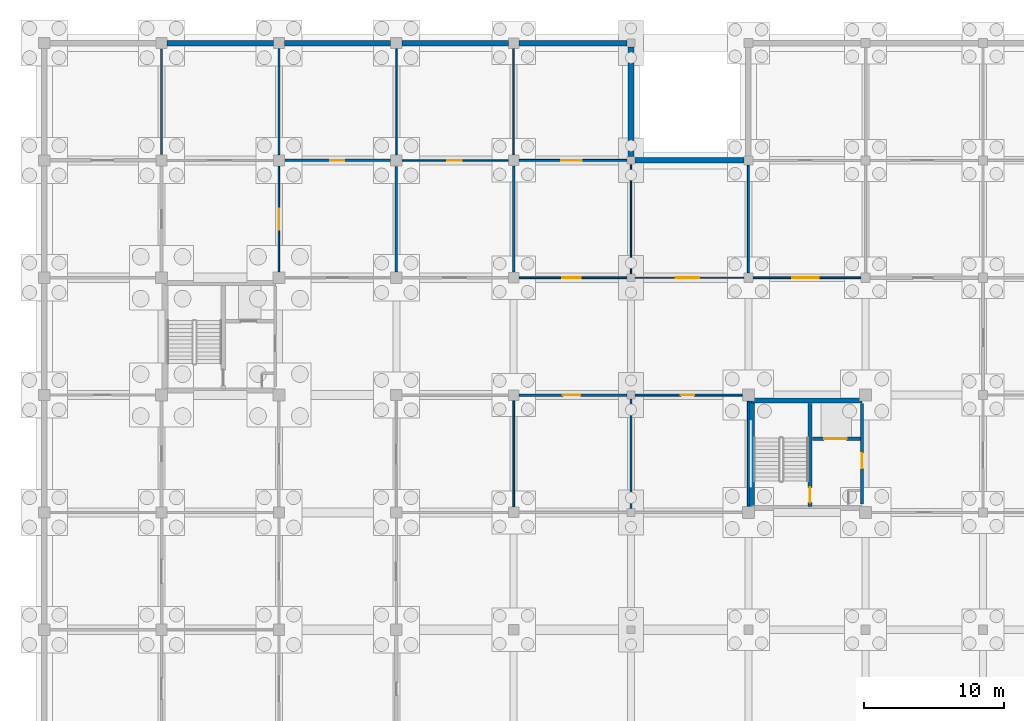
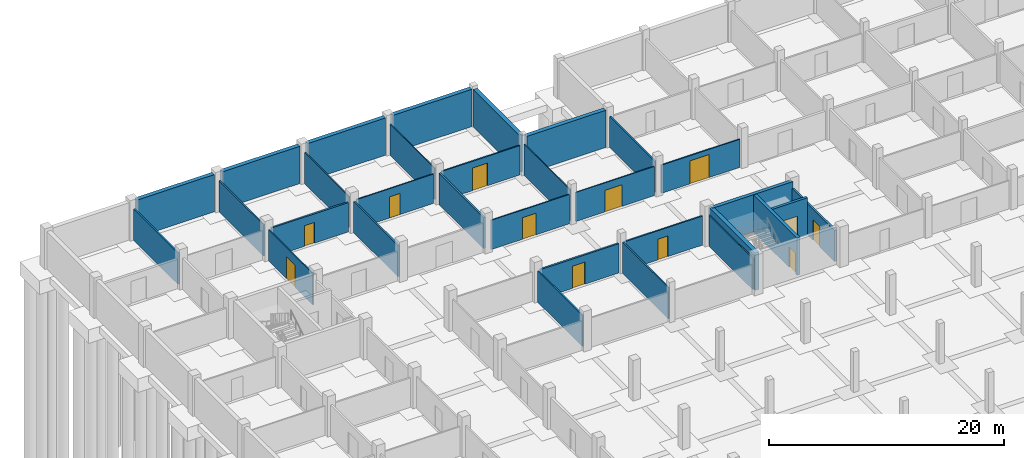
# One storey, part 27 of 43: 31 walls, 12 doors, 12 openings.
"""IFC4 building model written with IfcOpenShell, lengths in metres."""

from ifc_helpers import new_model, si_unit, direction, frame, frame_2d, origin, place, context, subcontext, project, spatial, rectangle, extrude, material, layer, layer_set, type_object, element, fill, save


model = new_model("IFC4")

# Units and contexts
model_context = context("Model", 3, precision=1e-05, world=origin(), true_north=direction((0.0, 1.0)))
body_context = subcontext(model_context, "Body", "Model", "MODEL_VIEW")
ifc_project = project(units=[si_unit("LENGTHUNIT", "METRE"), si_unit("AREAUNIT", "SQUARE_METRE"), si_unit("VOLUMEUNIT", "CUBIC_METRE"), si_unit("PLANEANGLEUNIT", "RADIAN"), si_unit("MASSUNIT", "GRAM", prefix="KILO")], contexts=[model_context])

# Site, building, storey
site_placement = place(None, origin())
site = spatial("IfcSite", under=ifc_project, at=site_placement, CompositionType="ELEMENT")
building_placement = place(site_placement, origin())
building = spatial("IfcBuilding", under=site, at=building_placement, Name="Varnapada Polytechnic", CompositionType="ELEMENT")
storey_placement = place(building_placement, frame((0.0, 0.0, -4.199951171875)))
storey = spatial("IfcBuildingStorey", under=building, at=storey_placement, Name="B1", CompositionType="ELEMENT", Elevation=-4.199951171875)

# Wall, opening, door
ifc_material_1 = material(Name="Autoclaved Aerated Concrete Block AAC-600", Category="concrete")
ifc_layer_1 = layer(ifc_material_1, 0.199951171875)
ifc_layer_set_1 = layer_set([ifc_layer_1], Name="Autoclaved Aerated Concrete Block AAC-600")
wall_type_1 = type_object("IfcWallType", Name="Interior Wall IW-01", PredefinedType="PARTITIONING", material=ifc_layer_set_1)
wall_1_placement = place(storey_placement, frame((58.5400390625, 100.199951171875, 0.0), z_axis=(0.0, 0.0, 1.0), x_axis=(0.0, -1.0, 0.0)))
wall_1 = element("IfcWall", 1, at=wall_1_placement, inside=storey, type_object=wall_type_1, Name="B1 C4 firefighting lobby east wall", PredefinedType="PARTITIONING", context=body_context, shape_type="SweptSolid", body=[
    extrude(rectangle(XDim=7.199951171875, YDim=0.199951171875, at=frame_2d((3.60009765625, 0.0))), origin(), (0.0, 0.0, 1.0), 3.22998046875),
])
opening_1_placement = place(wall_1_placement, frame((3.550048828125, 0.0, 0.0)))
opening_1 = element("IfcOpeningElement", 2, at=opening_1_placement, cuts=wall_1, Name="Opening D-607", PredefinedType="OPENING", context=body_context, shape_type="SweptSolid", body=[
    extrude(rectangle(XDim=1.10009765625, YDim=2.14990234375, at=frame_2d((0.550048828125, 1.074951171875))), frame((0.0, 0.10986328125, 0.0), z_axis=(0.0, -1.0, 0.0), x_axis=(1.0, 0.0, 0.0)), (0.0, 0.0, 1.0), 0.219970703125),
])
ifc_material_2 = material(Name="Galvanized Steel Z275", Category="steel")
door_type_1 = type_object("IfcDoorType", Name="Interior Door ID-01", OperationType="NOTDEFINED", PredefinedType="DOOR", material=ifc_material_2)
door_1_placement = place(opening_1_placement, frame((1.10009765625, 0.0, 0.0), z_axis=(0.0, 0.0, 1.0), x_axis=(-1.0, 0.0, 0.0)))
door_1 = element("IfcDoor", 3, at=door_1_placement, inside=storey, type_object=door_type_1, Name="B1 C4 lobby fire door D-607", OperationType="SINGLE_SWING_LEFT", OverallHeight=2.14990234375, OverallWidth=1.10009765625, PredefinedType="DOOR", context=body_context, shape_type="SweptSolid", body=[
    extrude(rectangle(XDim=1.10009765625, YDim=2.14990234375, at=frame_2d((0.550048828125, 1.074951171875))), frame((0.0, 0.02490234375, 0.0), z_axis=(0.0, -1.0, 0.0), x_axis=(1.0, 0.0, 0.0)), (0.0, 0.0, 1.0), 0.050048828125),
])
fill(opening_1, door_1)

# Walls
ifc_layer_2 = layer(ifc_material_1, 0.14990234375)
ifc_layer_set_2 = layer_set([ifc_layer_2], Name="Autoclaved Aerated Concrete Block AAC-600")
wall_type_2 = type_object("IfcWallType", Name="Interior Wall IW-02", PredefinedType="PARTITIONING", material=ifc_layer_set_2)
wall_2_placement = place(storey_placement, frame((8.39990234375, 118.02001953125, 0.0), z_axis=(0.0, 0.0, 1.0), x_axis=(0.0, 1.0, 0.0)))
element("IfcWall", 4, at=wall_2_placement, inside=storey, type_object=wall_type_2, Name="B1 interior partition IW-B1-00-14-V", PredefinedType="PARTITIONING", context=body_context, shape_type="SweptSolid", body=[
    extrude(rectangle(XDim=7.56005859375, YDim=0.14990234375, at=frame_2d((3.780029296875, 0.0))), origin(), (0.0, 0.0, 1.0), 3.25),
])
ifc_material_3 = material(Name="Gypsum Plasterboard Acoustic Partition")
ifc_layer_3 = layer(ifc_material_3, 0.125)
ifc_layer_set_3 = layer_set([ifc_layer_3], Name="Gypsum Plasterboard Acoustic Partition")
wall_type_3 = type_object("IfcWallType", Name="Interior Wall IW-03", PredefinedType="PARTITIONING", material=ifc_layer_set_3)
wall_3_placement = place(storey_placement, frame((33.60009765625, 92.794921875, 0.0), z_axis=(0.0, 0.0, 1.0), x_axis=(0.0, 1.0, 0.0)))
element("IfcWall", 5, at=wall_3_placement, inside=storey, type_object=wall_type_3, Name="B1 interior partition IW-B1-03-11-V", PredefinedType="PARTITIONING", context=body_context, shape_type="SweptSolid", body=[
    extrude(rectangle(XDim=7.610107421875, YDim=0.125, at=frame_2d((3.80517578125, 0.0))), origin(), (0.0, 0.0, 1.0), 3.25),
])

# Wall, opening, door
wall_4_placement = place(storey_placement, frame((50.7451171875, 109.199951171875, 0.0), z_axis=(0.0, 0.0, 1.0), x_axis=(1.0, 0.0, 0.0)))
wall_4 = element("IfcWall", 6, at=wall_4_placement, inside=storey, type_object=wall_type_3, Name="B1 interior partition IW-B1-06-12-H", PredefinedType="PARTITIONING", context=body_context, shape_type="SweptSolid", body=[
    extrude(rectangle(XDim=7.7099609375, YDim=0.125, at=frame_2d((3.85498046875, 0.0))), origin(), (0.0, 0.0, 1.0), 2.929931640625),
])
opening_2_placement = place(wall_4_placement, frame((2.800048828125, 0.0, 0.0)))
opening_2 = element("IfcOpeningElement", 7, at=opening_2_placement, cuts=wall_4, Name="Opening D-675", PredefinedType="OPENING", context=body_context, shape_type="SweptSolid", body=[
    extrude(rectangle(XDim=1.89990234375, YDim=2.39990234375, at=frame_2d((0.949951171875, 1.199951171875))), frame((0.0, 0.072509765625, 0.0), z_axis=(0.0, -1.0, 0.0), x_axis=(1.0, 0.0, 0.0)), (0.0, 0.0, 1.0), 0.14501953125),
])
ifc_material_4 = material(Name="Heavy Workshop Double Steel Door", Category="steel")
door_type_2 = type_object("IfcDoorType", Name="Interior Door ID-14", OperationType="NOTDEFINED", PredefinedType="DOOR", material=ifc_material_4)
door_2_placement = place(opening_2_placement, origin())
door_2 = element("IfcDoor", 8, at=door_2_placement, inside=storey, type_object=door_type_2, Name="B1 interior room door D-675", OperationType="SINGLE_SWING_RIGHT", OverallHeight=2.39990234375, OverallWidth=1.89990234375, PredefinedType="DOOR", context=body_context, shape_type="SweptSolid", body=[
    extrude(rectangle(XDim=1.89990234375, YDim=2.39990234375, at=frame_2d((0.949951171875, 1.199951171875))), frame((0.0, 0.02490234375, 0.0), z_axis=(0.0, -1.0, 0.0), x_axis=(1.0, 0.0, 0.0)), (0.0, 0.0, 1.0), 0.050048828125),
])
fill(opening_2, door_2)

# Walls
ifc_material_5 = material(Name="Moisture-Resistant Cement Board Partition")
ifc_layer_4 = layer(ifc_material_5, 0.139892578125)
ifc_layer_set_4 = layer_set([ifc_layer_4], Name="Moisture-Resistant Cement Board Partition")
wall_type_4 = type_object("IfcWallType", Name="Interior Wall IW-04", PredefinedType="PARTITIONING", material=ifc_layer_set_4)
wall_5_placement = place(storey_placement, frame((42.0, 92.695068359375, 0.0), z_axis=(0.0, 0.0, 1.0), x_axis=(0.0, 1.0, 0.0)))
element("IfcWall", 9, at=wall_5_placement, inside=storey, type_object=wall_type_4, Name="B1 interior partition IW-B1-04-11-V", PredefinedType="PARTITIONING", context=body_context, shape_type="SweptSolid", body=[
    extrude(rectangle(XDim=7.809814453125, YDim=0.139892578125, at=frame_2d((3.90478515625, 0.0))), origin(), (0.0, 0.0, 1.0), 3.25),
])
wall_6_placement = place(storey_placement, frame((50.39990234375, 92.844970703125, 0.0), z_axis=(0.0, 0.0, 1.0), x_axis=(0.0, 1.0, 0.0)))
element("IfcWall", 10, at=wall_6_placement, inside=storey, type_object=wall_type_4, Name="B1 interior partition IW-B1-05-11-V", PredefinedType="PARTITIONING", context=body_context, shape_type="SweptSolid", body=[
    extrude(rectangle(XDim=7.510009765625, YDim=0.139892578125, at=frame_2d((3.7548828125, 0.0))), origin(), (0.0, 0.0, 1.0), 3.22998046875),
])

# Wall, opening, door
wall_7_placement = place(storey_placement, frame((42.294921875, 100.800048828125, 0.0), z_axis=(0.0, 0.0, 1.0), x_axis=(1.0, 0.0, 0.0)))
wall_7 = element("IfcWall", 11, at=wall_7_placement, inside=storey, type_object=wall_type_4, Name="B1 interior partition IW-B1-05-11-H", PredefinedType="PARTITIONING", context=body_context, shape_type="SweptSolid", body=[
    extrude(rectangle(XDim=7.66015625, YDim=0.139892578125, at=frame_2d((3.830078125, 0.0))), origin(), (0.0, 0.0, 1.0), 3.030029296875),
])
opening_3_placement = place(wall_7_placement, frame((3.27490234375, 0.0, 0.0)))
opening_3 = element("IfcOpeningElement", 12, at=opening_3_placement, cuts=wall_7, Name="Opening D-668", PredefinedType="OPENING", context=body_context, shape_type="SweptSolid", body=[
    extrude(rectangle(XDim=0.949951171875, YDim=2.14990234375, at=frame_2d((0.47509765625, 1.074951171875))), frame((0.0, 0.079833984375, 0.0), z_axis=(0.0, -1.0, 0.0), x_axis=(1.0, 0.0, 0.0)), (0.0, 0.0, 1.0), 0.159912109375),
])
ifc_material_6 = material(Name="Moisture-Resistant HPL Timber", Category="wood")
door_type_3 = type_object("IfcDoorType", Name="Interior Door ID-03", OperationType="NOTDEFINED", PredefinedType="DOOR", material=ifc_material_6)
door_3_placement = place(opening_3_placement, frame((0.949951171875, 0.0, 0.0), z_axis=(0.0, 0.0, 1.0), x_axis=(-1.0, 0.0, 0.0)))
door_3 = element("IfcDoor", 13, at=door_3_placement, inside=storey, type_object=door_type_3, Name="B1 interior room door D-668", OperationType="SINGLE_SWING_LEFT", OverallHeight=2.14990234375, OverallWidth=0.949951171875, PredefinedType="DOOR", context=body_context, shape_type="SweptSolid", body=[
    extrude(rectangle(XDim=0.949951171875, YDim=2.14990234375, at=frame_2d((0.47509765625, 1.074951171875))), frame((0.0, 0.02490234375, 0.0), z_axis=(0.0, -1.0, 0.0), x_axis=(1.0, 0.0, 0.0)), (0.0, 0.0, 1.0), 0.050048828125),
])
fill(opening_3, door_3)

# Wall
ifc_material_7 = material(Name="Cross-laminated timber CLT C24", Category="wood")
ifc_layer_5 = layer(ifc_material_7, 0.159912109375)
ifc_layer_set_5 = layer_set([ifc_layer_5], Name="Cross-laminated timber CLT C24")
wall_type_5 = type_object("IfcWallType", Name="Interior Wall IW-05", PredefinedType="PARTITIONING", material=ifc_layer_set_5)
wall_8_placement = place(storey_placement, frame((25.199951171875, 109.6201171875, 0.0), z_axis=(0.0, 0.0, 1.0), x_axis=(0.0, 1.0, 0.0)))
element("IfcWall", 14, at=wall_8_placement, inside=storey, type_object=wall_type_5, Name="B1 interior partition IW-B1-02-13-V", PredefinedType="PARTITIONING", context=body_context, shape_type="SweptSolid", body=[
    extrude(rectangle(XDim=7.559814453125, YDim=0.159912109375, at=frame_2d((3.77978515625, 0.0))), origin(), (0.0, 0.0, 1.0), 3.25),
])

# Wall, opening, door
ifc_material_8 = material(Name="Acoustic Double-Stud Studio Partition")
ifc_layer_6 = layer(ifc_material_8, 0.179931640625)
ifc_layer_set_6 = layer_set([ifc_layer_6], Name="Acoustic Double-Stud Studio Partition")
wall_type_6 = type_object("IfcWallType", Name="Interior Wall IW-06", PredefinedType="PARTITIONING", material=ifc_layer_set_6)
wall_9_placement = place(storey_placement, frame((17.219970703125, 117.60009765625, 0.0), z_axis=(0.0, 0.0, 1.0), x_axis=(1.0, 0.0, 0.0)))
wall_9 = element("IfcWall", 15, at=wall_9_placement, inside=storey, type_object=wall_type_6, Name="B1 interior partition IW-B1-02-13-H", PredefinedType="PARTITIONING", context=body_context, shape_type="SweptSolid", body=[
    extrude(rectangle(XDim=7.56005859375, YDim=0.179931640625, at=frame_2d((3.780029296875, 0.0))), origin(), (0.0, 0.0, 1.0), 3.050048828125),
])
opening_4_placement = place(wall_9_placement, frame((3.25, 0.0, 0.0)))
opening_4 = element("IfcOpeningElement", 16, at=opening_4_placement, cuts=wall_9, Name="Opening D-646", PredefinedType="OPENING", context=body_context, shape_type="SweptSolid", body=[
    extrude(rectangle(XDim=1.0, YDim=2.14990234375, at=frame_2d((0.5, 1.074951171875))), frame((0.0, 0.099853515625, 0.0), z_axis=(0.0, -1.0, 0.0), x_axis=(1.0, 0.0, 0.0)), (0.0, 0.0, 1.0), 0.199951171875),
])
ifc_material_9 = material(Name="Solid Teak Hardwood Timber", Category="wood")
door_type_4 = type_object("IfcDoorType", Name="Interior Door ID-02", OperationType="NOTDEFINED", PredefinedType="DOOR", material=ifc_material_9)
door_4_placement = place(opening_4_placement, origin())
door_4 = element("IfcDoor", 17, at=door_4_placement, inside=storey, type_object=door_type_4, Name="B1 interior room door D-646", OperationType="SINGLE_SWING_LEFT", OverallHeight=2.14990234375, OverallWidth=1.0, PredefinedType="DOOR", context=body_context, shape_type="SweptSolid", body=[
    extrude(rectangle(XDim=1.0, YDim=2.14990234375, at=frame_2d((0.5, 1.074951171875))), frame((0.0, 0.02490234375, 0.0), z_axis=(0.0, -1.0, 0.0), x_axis=(1.0, 0.0, 0.0)), (0.0, 0.0, 1.0), 0.050048828125),
])
fill(opening_4, door_4)

# Wall
wall_10_placement = place(storey_placement, frame((33.60009765625, 109.594970703125, 0.0), z_axis=(0.0, 0.0, 1.0), x_axis=(0.0, 1.0, 0.0)))
element("IfcWall", 18, at=wall_10_placement, inside=storey, type_object=wall_type_6, Name="B1 interior partition IW-B1-03-13-V", PredefinedType="PARTITIONING", context=body_context, shape_type="SweptSolid", body=[
    extrude(rectangle(XDim=7.610107421875, YDim=0.179931640625, at=frame_2d((3.80517578125, 0.0))), origin(), (0.0, 0.0, 1.0), 3.25),
])

# Wall, opening, door
wall_11_placement = place(storey_placement, frame((33.9951171875, 100.800048828125, 0.0), z_axis=(0.0, 0.0, 1.0), x_axis=(1.0, 0.0, 0.0)))
wall_11 = element("IfcWall", 19, at=wall_11_placement, inside=storey, type_object=wall_type_6, Name="B1 interior partition IW-B1-04-11-H", PredefinedType="PARTITIONING", context=body_context, shape_type="SweptSolid", body=[
    extrude(rectangle(XDim=7.7099609375, YDim=0.179931640625, at=frame_2d((3.85498046875, 0.0))), origin(), (0.0, 0.0, 1.0), 3.050048828125),
])
opening_5_placement = place(wall_11_placement, frame((3.125, 0.0, 0.0)))
opening_5 = element("IfcOpeningElement", 20, at=opening_5_placement, cuts=wall_11, Name="Opening D-660", PredefinedType="OPENING", context=body_context, shape_type="SweptSolid", body=[
    extrude(rectangle(XDim=1.25, YDim=2.300048828125, at=frame_2d((0.625, 1.14990234375))), frame((0.0, 0.099853515625, 0.0), z_axis=(0.0, -1.0, 0.0), x_axis=(1.0, 0.0, 0.0)), (0.0, 0.0, 1.0), 0.199951171875),
])
door_type_5 = type_object("IfcDoorType", Name="Interior Door ID-16", OperationType="NOTDEFINED", PredefinedType="DOOR", material=ifc_material_9)
door_5_placement = place(opening_5_placement, origin())
door_5 = element("IfcDoor", 21, at=door_5_placement, inside=storey, type_object=door_type_5, Name="B1 interior room door D-660", OperationType="SINGLE_SWING_LEFT", OverallHeight=2.300048828125, OverallWidth=1.25, PredefinedType="DOOR", context=body_context, shape_type="SweptSolid", body=[
    extrude(rectangle(XDim=1.25, YDim=2.300048828125, at=frame_2d((0.625, 1.14990234375))), frame((0.0, 0.02490234375, 0.0), z_axis=(0.0, -1.0, 0.0), x_axis=(1.0, 0.0, 0.0)), (0.0, 0.0, 1.0), 0.050048828125),
])
fill(opening_5, door_5)

ifc_material_10 = material(Name="Glazed Timber-Framed Studio Screen", Category="wood")
ifc_layer_7 = layer(ifc_material_10, 0.110107421875)
ifc_layer_set_7 = layer_set([ifc_layer_7], Name="Glazed Timber-Framed Studio Screen")
wall_type_7 = type_object("IfcWallType", Name="Interior Wall IW-07", PredefinedType="PARTITIONING", material=ifc_layer_set_7)
wall_12_placement = place(storey_placement, frame((16.800048828125, 109.64501953125, 0.0), z_axis=(0.0, 0.0, 1.0), x_axis=(0.0, 1.0, 0.0)))
wall_12 = element("IfcWall", 22, at=wall_12_placement, inside=storey, type_object=wall_type_7, Name="B1 interior partition IW-B1-01-13-V", PredefinedType="PARTITIONING", context=body_context, shape_type="SweptSolid", body=[
    extrude(rectangle(XDim=7.534912109375, YDim=0.110107421875, at=frame_2d((3.767578125, 0.0))), origin(), (0.0, 0.0, 1.0), 3.25),
])
opening_6_placement = place(wall_12_placement, frame((3.0, 0.0, 0.0)))
opening_6 = element("IfcOpeningElement", 23, at=opening_6_placement, cuts=wall_12, Name="Opening D-634", PredefinedType="OPENING", context=body_context, shape_type="SweptSolid", body=[
    extrude(rectangle(XDim=1.5, YDim=2.300048828125, at=frame_2d((0.75, 1.14990234375))), frame((0.0, 0.06494140625, 0.0), z_axis=(0.0, -1.0, 0.0), x_axis=(1.0, 0.0, 0.0)), (0.0, 0.0, 1.0), 0.130126953125),
])
door_type_6 = type_object("IfcDoorType", Name="Interior Door ID-07", OperationType="NOTDEFINED", PredefinedType="DOOR", material=ifc_material_2)
door_6_placement = place(opening_6_placement, origin())
door_6 = element("IfcDoor", 24, at=door_6_placement, inside=storey, type_object=door_type_6, Name="B1 interior room door D-634", OperationType="SINGLE_SWING_LEFT", OverallHeight=2.300048828125, OverallWidth=1.5, PredefinedType="DOOR", context=body_context, shape_type="SweptSolid", body=[
    extrude(rectangle(XDim=1.5, YDim=2.300048828125, at=frame_2d((0.75, 1.14990234375))), frame((0.0, 0.02490234375, 0.0), z_axis=(0.0, -1.0, 0.0), x_axis=(1.0, 0.0, 0.0)), (0.0, 0.0, 1.0), 0.050048828125),
])
fill(opening_6, door_6)

# Wall
wall_13_placement = place(storey_placement, frame((25.199951171875, 118.02001953125, 0.0), z_axis=(0.0, 0.0, 1.0), x_axis=(0.0, 1.0, 0.0)))
element("IfcWall", 25, at=wall_13_placement, inside=storey, type_object=wall_type_7, Name="B1 interior partition IW-B1-02-14-V", PredefinedType="PARTITIONING", context=body_context, shape_type="SweptSolid", body=[
    extrude(rectangle(XDim=7.56005859375, YDim=0.110107421875, at=frame_2d((3.780029296875, 0.0))), origin(), (0.0, 0.0, 1.0), 3.25),
])

# Wall, opening, door
wall_14_placement = place(storey_placement, frame((25.6201171875, 117.60009765625, 0.0), z_axis=(0.0, 0.0, 1.0), x_axis=(1.0, 0.0, 0.0)))
wall_14 = element("IfcWall", 26, at=wall_14_placement, inside=storey, type_object=wall_type_7, Name="B1 interior partition IW-B1-03-13-H", PredefinedType="PARTITIONING", context=body_context, shape_type="SweptSolid", body=[
    extrude(rectangle(XDim=7.5849609375, YDim=0.110107421875, at=frame_2d((3.79248046875, 0.0))), origin(), (0.0, 0.0, 1.0), 3.050048828125),
])
opening_7_placement = place(wall_14_placement, frame((3.22509765625, 0.0, 0.0)))
opening_7 = element("IfcOpeningElement", 27, at=opening_7_placement, cuts=wall_14, Name="Opening D-653", PredefinedType="OPENING", context=body_context, shape_type="SweptSolid", body=[
    extrude(rectangle(XDim=1.050048828125, YDim=2.199951171875, at=frame_2d((0.52490234375, 1.10009765625))), frame((0.0, 0.06494140625, 0.0), z_axis=(0.0, -1.0, 0.0), x_axis=(1.0, 0.0, 0.0)), (0.0, 0.0, 1.0), 0.130126953125),
])
door_type_7 = type_object("IfcDoorType", Name="Interior Door ID-09", OperationType="NOTDEFINED", PredefinedType="DOOR", material=ifc_material_9)
door_7_placement = place(opening_7_placement, frame((1.050048828125, 0.0, 0.0), z_axis=(0.0, 0.0, 1.0), x_axis=(-1.0, 0.0, 0.0)))
door_7 = element("IfcDoor", 28, at=door_7_placement, inside=storey, type_object=door_type_7, Name="B1 interior room door D-653", OperationType="SINGLE_SWING_RIGHT", OverallHeight=2.199951171875, OverallWidth=1.050048828125, PredefinedType="DOOR", context=body_context, shape_type="SweptSolid", body=[
    extrude(rectangle(XDim=1.050048828125, YDim=2.199951171875, at=frame_2d((0.52490234375, 1.10009765625))), frame((0.0, 0.02490234375, 0.0), z_axis=(0.0, -1.0, 0.0), x_axis=(1.0, 0.0, 0.0)), (0.0, 0.0, 1.0), 0.050048828125),
])
fill(opening_7, door_7)

wall_15_placement = place(storey_placement, frame((33.9951171875, 109.199951171875, 0.0), z_axis=(0.0, 0.0, 1.0), x_axis=(1.0, 0.0, 0.0)))
wall_15 = element("IfcWall", 29, at=wall_15_placement, inside=storey, type_object=wall_type_7, Name="B1 interior partition IW-B1-04-12-H", PredefinedType="PARTITIONING", context=body_context, shape_type="SweptSolid", body=[
    extrude(rectangle(XDim=7.7099609375, YDim=0.110107421875, at=frame_2d((3.85498046875, 0.0))), origin(), (0.0, 0.0, 1.0), 3.050048828125),
])
opening_8_placement = place(wall_15_placement, frame((3.074951171875, 0.0, 0.0)))
opening_8 = element("IfcOpeningElement", 30, at=opening_8_placement, cuts=wall_15, Name="Opening D-661", PredefinedType="OPENING", context=body_context, shape_type="SweptSolid", body=[
    extrude(rectangle(XDim=1.35009765625, YDim=2.25, at=frame_2d((0.675048828125, 1.125))), frame((0.0, 0.06494140625, 0.0), z_axis=(0.0, -1.0, 0.0), x_axis=(1.0, 0.0, 0.0)), (0.0, 0.0, 1.0), 0.130126953125),
])
ifc_material_11 = material(Name="Powder-Coated Aluminium 6063-T6", Category="aluminium")
door_type_8 = type_object("IfcDoorType", Name="Interior Door ID-17", OperationType="NOTDEFINED", PredefinedType="DOOR", material=ifc_material_11)
door_8_placement = place(opening_8_placement, origin())
door_8 = element("IfcDoor", 31, at=door_8_placement, inside=storey, type_object=door_type_8, Name="B1 interior room door D-661", OperationType="SINGLE_SWING_RIGHT", OverallHeight=2.25, OverallWidth=1.35009765625, PredefinedType="DOOR", context=body_context, shape_type="SweptSolid", body=[
    extrude(rectangle(XDim=1.35009765625, YDim=2.25, at=frame_2d((0.675048828125, 1.125))), frame((0.0, 0.02490234375, 0.0), z_axis=(0.0, -1.0, 0.0), x_axis=(1.0, 0.0, 0.0)), (0.0, 0.0, 1.0), 0.050048828125),
])
fill(opening_8, door_8)

# Walls
ifc_material_12 = material(Name="Operable Acoustic Seminar Partition")
ifc_layer_8 = layer(ifc_material_12, 0.10009765625)
ifc_layer_set_8 = layer_set([ifc_layer_8], Name="Operable Acoustic Seminar Partition")
wall_type_8 = type_object("IfcWallType", Name="Interior Wall IW-08", PredefinedType="MOVABLE", material=ifc_layer_set_8)
wall_16_placement = place(storey_placement, frame((33.60009765625, 117.9951171875, 0.0), z_axis=(0.0, 0.0, 1.0), x_axis=(0.0, 1.0, 0.0)))
element("IfcWall", 32, at=wall_16_placement, inside=storey, type_object=wall_type_8, Name="B1 interior partition IW-B1-03-14-V", PredefinedType="MOVABLE", context=body_context, shape_type="SweptSolid", body=[
    extrude(rectangle(XDim=7.60986328125, YDim=0.10009765625, at=frame_2d((3.804931640625, 0.0))), origin(), (0.0, 0.0, 1.0), 3.25),
])
wall_17_placement = place(storey_placement, frame((42.0, 109.4951171875, 0.0), z_axis=(0.0, 0.0, 1.0), x_axis=(0.0, 1.0, 0.0)))
element("IfcWall", 33, at=wall_17_placement, inside=storey, type_object=wall_type_8, Name="B1 interior partition IW-B1-04-13-V", PredefinedType="MOVABLE", context=body_context, shape_type="SweptSolid", body=[
    extrude(rectangle(XDim=7.809814453125, YDim=0.10009765625, at=frame_2d((3.90478515625, 0.0))), origin(), (0.0, 0.0, 1.0), 3.25),
])

# Wall, opening, door
wall_18_placement = place(storey_placement, frame((42.294921875, 109.199951171875, 0.0), z_axis=(0.0, 0.0, 1.0), x_axis=(1.0, 0.0, 0.0)))
wall_18 = element("IfcWall", 34, at=wall_18_placement, inside=storey, type_object=wall_type_8, Name="B1 interior partition IW-B1-05-12-H", PredefinedType="MOVABLE", context=body_context, shape_type="SweptSolid", body=[
    extrude(rectangle(XDim=7.760009765625, YDim=0.10009765625, at=frame_2d((3.8798828125, 0.0))), origin(), (0.0, 0.0, 1.0), 3.030029296875),
])
opening_9_placement = place(wall_18_placement, frame((2.925048828125, 0.0, 0.0)))
opening_9 = element("IfcOpeningElement", 35, at=opening_9_placement, cuts=wall_18, Name="Opening D-669", PredefinedType="OPENING", context=body_context, shape_type="SweptSolid", body=[
    extrude(rectangle(XDim=1.64990234375, YDim=2.25, at=frame_2d((0.824951171875, 1.125))), frame((0.0, 0.06005859375, 0.0), z_axis=(0.0, -1.0, 0.0), x_axis=(1.0, 0.0, 0.0)), (0.0, 0.0, 1.0), 0.1201171875),
])
door_type_9 = type_object("IfcDoorType", Name="Interior Door ID-08", OperationType="NOTDEFINED", PredefinedType="DOOR", material=ifc_material_9)
door_9_placement = place(opening_9_placement, origin())
door_9 = element("IfcDoor", 36, at=door_9_placement, inside=storey, type_object=door_type_9, Name="B1 interior room door D-669", OperationType="SINGLE_SWING_RIGHT", OverallHeight=2.25, OverallWidth=1.64990234375, PredefinedType="DOOR", context=body_context, shape_type="SweptSolid", body=[
    extrude(rectangle(XDim=1.64990234375, YDim=2.25, at=frame_2d((0.824951171875, 1.125))), frame((0.0, 0.02490234375, 0.0), z_axis=(0.0, -1.0, 0.0), x_axis=(1.0, 0.0, 0.0)), (0.0, 0.0, 1.0), 0.050048828125),
])
fill(opening_9, door_9)

# Wall
ifc_material_13 = material(Name="Calcium Silicate Acoustic Lab Partition")
ifc_layer_9 = layer(ifc_material_13, 0.135009765625)
ifc_layer_set_9 = layer_set([ifc_layer_9], Name="Calcium Silicate Acoustic Lab Partition")
wall_type_9 = type_object("IfcWallType", Name="Interior Wall IW-09", PredefinedType="PARTITIONING", material=ifc_layer_set_9)
wall_19_placement = place(storey_placement, frame((16.800048828125, 118.02001953125, 0.0), z_axis=(0.0, 0.0, 1.0), x_axis=(0.0, 1.0, 0.0)))
element("IfcWall", 37, at=wall_19_placement, inside=storey, type_object=wall_type_9, Name="B1 interior partition IW-B1-01-14-V", PredefinedType="PARTITIONING", context=body_context, shape_type="SweptSolid", body=[
    extrude(rectangle(XDim=7.56005859375, YDim=0.135009765625, at=frame_2d((3.780029296875, 0.0))), origin(), (0.0, 0.0, 1.0), 3.25),
])

# Wall, opening, door
wall_20_placement = place(storey_placement, frame((33.9951171875, 117.60009765625, 0.0), z_axis=(0.0, 0.0, 1.0), x_axis=(1.0, 0.0, 0.0)))
wall_20 = element("IfcWall", 38, at=wall_20_placement, inside=storey, type_object=wall_type_9, Name="B1 interior partition IW-B1-04-13-H", PredefinedType="PARTITIONING", context=body_context, shape_type="SweptSolid", body=[
    extrude(rectangle(XDim=7.7099609375, YDim=0.135009765625, at=frame_2d((3.85498046875, 0.0))), origin(), (0.0, 0.0, 1.0), 3.050048828125),
])
opening_10_placement = place(wall_20_placement, frame((3.02490234375, 0.0, 0.0)))
opening_10 = element("IfcOpeningElement", 39, at=opening_10_placement, cuts=wall_20, Name="Opening D-662", PredefinedType="OPENING", context=body_context, shape_type="SweptSolid", body=[
    extrude(rectangle(XDim=1.449951171875, YDim=2.35009765625, at=frame_2d((0.72509765625, 1.175048828125))), frame((0.0, 0.077392578125, 0.0), z_axis=(0.0, -1.0, 0.0), x_axis=(1.0, 0.0, 0.0)), (0.0, 0.0, 1.0), 0.155029296875),
])
door_type_10 = type_object("IfcDoorType", Name="Interior Door ID-18", OperationType="NOTDEFINED", PredefinedType="DOOR", material=ifc_material_2)
door_10_placement = place(opening_10_placement, frame((1.449951171875, 0.0, 0.0), z_axis=(0.0, 0.0, 1.0), x_axis=(-1.0, 0.0, 0.0)))
door_10 = element("IfcDoor", 40, at=door_10_placement, inside=storey, type_object=door_type_10, Name="B1 interior room door D-662", OperationType="SINGLE_SWING_LEFT", OverallHeight=2.35009765625, OverallWidth=1.449951171875, PredefinedType="DOOR", context=body_context, shape_type="SweptSolid", body=[
    extrude(rectangle(XDim=1.449951171875, YDim=2.35009765625, at=frame_2d((0.72509765625, 1.175048828125))), frame((0.0, 0.02490234375, 0.0), z_axis=(0.0, -1.0, 0.0), x_axis=(1.0, 0.0, 0.0)), (0.0, 0.0, 1.0), 0.050048828125),
])
fill(opening_10, door_10)

# Walls
wall_21_placement = place(storey_placement, frame((50.39990234375, 109.544921875, 0.0), z_axis=(0.0, 0.0, 1.0), x_axis=(0.0, 1.0, 0.0)))
element("IfcWall", 41, at=wall_21_placement, inside=storey, type_object=wall_type_9, Name="B1 interior partition IW-B1-05-13-V", PredefinedType="PARTITIONING", context=body_context, shape_type="SweptSolid", body=[
    extrude(rectangle(XDim=7.7099609375, YDim=0.135009765625, at=frame_2d((3.85498046875, 0.0))), origin(), (0.0, 0.0, 1.0), 3.22998046875),
])
ifc_material_14 = material(Name="Concrete C40/50", Category="concrete")
ifc_layer_10 = layer(ifc_material_14, 0.35009765625)
ifc_layer_set_10 = layer_set([ifc_layer_10], Name="Concrete C40/50")
wall_type_10 = type_object("IfcWallType", Name="Interior Wall SW-01", PredefinedType="SHEAR", material=ifc_layer_set_10)
wall_22_placement = place(storey_placement, frame((50.639892578125, 100.419921875, 0.0), z_axis=(0.0, 0.0, 1.0), x_axis=(1.0, 0.0, 0.0)))
element("IfcWall", 42, at=wall_22_placement, inside=storey, type_object=wall_type_10, Name="B1 C4 core north shear wall", PredefinedType="SHEAR", context=body_context, shape_type="SweptSolid", body=[
    extrude(rectangle(XDim=7.900146484375, YDim=0.35009765625, at=frame_2d((3.9501953125, 0.0))), origin(), (0.0, 0.0, 1.0), 3.8798828125),
])

# Wall, opening, door
ifc_layer_11 = layer(ifc_material_14, 0.300048828125)
ifc_layer_set_11 = layer_set([ifc_layer_11], Name="Concrete C40/50")
wall_type_11 = type_object("IfcWallType", Name="Interior Wall SW-02", PredefinedType="SHEAR", material=ifc_layer_set_11)
wall_23_placement = place(storey_placement, frame((54.81005859375, 92.820068359375, 0.0), z_axis=(0.0, 0.0, 1.0), x_axis=(0.0, 1.0, 0.0)))
wall_23 = element("IfcWall", 43, at=wall_23_placement, inside=storey, type_object=wall_type_11, Name="B1 C4 stair-lobby dividing shear wall", PredefinedType="SHEAR", context=body_context, shape_type="SweptSolid", body=[
    extrude(rectangle(XDim=7.3798828125, YDim=0.300048828125, at=frame_2d((3.68994140625, 0.0))), origin(), (0.0, 0.0, 1.0), 3.8798828125),
])
opening_11_placement = place(wall_23_placement, frame((0.280029296875, 0.0, 0.0)))
opening_11 = element("IfcOpeningElement", 44, at=opening_11_placement, cuts=wall_23, Name="Opening D-608", PredefinedType="OPENING", context=body_context, shape_type="SweptSolid", body=[
    extrude(rectangle(XDim=1.10009765625, YDim=2.14990234375, at=frame_2d((0.550048828125, 1.074951171875))), frame((0.0, 0.159912109375, 0.0), z_axis=(0.0, -1.0, 0.0), x_axis=(1.0, 0.0, 0.0)), (0.0, 0.0, 1.0), 0.320068359375),
])
door_11_placement = place(opening_11_placement, origin())
door_11 = element("IfcDoor", 45, at=door_11_placement, inside=storey, type_object=door_type_1, Name="B1 C4 exit stair door D-608", OperationType="SINGLE_SWING_LEFT", OverallHeight=2.14990234375, OverallWidth=1.10009765625, PredefinedType="DOOR", context=body_context, shape_type="SweptSolid", body=[
    extrude(rectangle(XDim=1.10009765625, YDim=2.14990234375, at=frame_2d((0.550048828125, 1.074951171875))), frame((0.0, 0.02490234375, 0.0), z_axis=(0.0, -1.0, 0.0), x_axis=(1.0, 0.0, 0.0)), (0.0, 0.0, 1.0), 0.050048828125),
])
fill(opening_11, door_11)

# Wall
ifc_layer_12 = layer(ifc_material_14, 0.39990234375)
ifc_layer_set_12 = layer_set([ifc_layer_12], Name="Concrete C40/50")
wall_type_12 = type_object("IfcWallType", Name="Interior Wall SW-03", PredefinedType="SHEAR", material=ifc_layer_set_12)
wall_24_placement = place(storey_placement, frame((50.639892578125, 92.64990234375, 0.0), z_axis=(0.0, 0.0, 1.0), x_axis=(0.0, 1.0, 0.0)))
element("IfcWall", 46, at=wall_24_placement, inside=storey, type_object=wall_type_12, Name="B1 C4 stair west shear wall", PredefinedType="SHEAR", context=body_context, shape_type="SweptSolid", body=[
    extrude(rectangle(XDim=7.940185546875, YDim=0.39990234375, at=frame_2d((3.97021484375, 0.0))), origin(), (0.0, 0.0, 1.0), 3.8798828125),
])

# Wall, opening, door
ifc_layer_13 = layer(ifc_material_14, 0.25)
ifc_layer_set_13 = layer_set([ifc_layer_13], Name="Concrete C40/50")
wall_type_13 = type_object("IfcWallType", Name="Interior Wall SW-05", PredefinedType="SHEAR", material=ifc_layer_set_13)
wall_25_placement = place(storey_placement, frame((54.97998046875, 97.679931640625, 0.0), z_axis=(0.0, 0.0, 1.0), x_axis=(1.0, 0.0, 0.0)))
wall_25 = element("IfcWall", 47, at=wall_25_placement, inside=storey, type_object=wall_type_13, Name="B1 C4 lift shaft front wall", PredefinedType="SHEAR", context=body_context, shape_type="SweptSolid", body=[
    extrude(rectangle(XDim=3.4599609375, YDim=0.25, at=frame_2d((1.72998046875, 0.0))), origin(), (0.0, 0.0, 1.0), 3.8798828125),
])
opening_12_placement = place(wall_25_placement, frame((0.85009765625, 0.0, 0.0)))
opening_12 = element("IfcOpeningElement", 48, at=opening_12_placement, cuts=wall_25, Name="Opening LD-004", PredefinedType="OPENING", context=body_context, shape_type="SweptSolid", body=[
    extrude(rectangle(XDim=1.60009765625, YDim=2.300048828125, at=frame_2d((0.800048828125, 1.14990234375))), frame((0.0, 0.135009765625, 0.0), z_axis=(0.0, -1.0, 0.0), x_axis=(1.0, 0.0, 0.0)), (0.0, 0.0, 1.0), 0.27001953125),
])
ifc_material_15 = material(Name="Brushed Stainless Steel 316", Category="steel")
door_type_11 = type_object("IfcDoorType", Name="Interior Door LD-02", OperationType="NOTDEFINED", PredefinedType="DOOR", material=ifc_material_15)
door_12_placement = place(opening_12_placement, origin())
door_12 = element("IfcDoor", 49, at=door_12_placement, inside=storey, type_object=door_type_11, Name="B1 LFT-04 sliding lift landing door LD-004", OperationType="DOUBLE_DOOR_SLIDING", OverallHeight=2.300048828125, OverallWidth=1.60009765625, PredefinedType="DOOR", context=body_context, shape_type="SweptSolid", body=[
    extrude(rectangle(XDim=1.60009765625, YDim=2.300048828125, at=frame_2d((0.800048828125, 1.14990234375))), frame((0.0, 0.02490234375, 0.0), z_axis=(0.0, -1.0, 0.0), x_axis=(1.0, 0.0, 0.0)), (0.0, 0.0, 1.0), 0.050048828125),
])
fill(opening_12, door_12)

# Walls
ifc_layer_14 = layer(ifc_material_14, 0.39990234375)
ifc_layer_set_14 = layer_set([ifc_layer_14], Name="Concrete C40/50")
wall_type_14 = type_object("IfcWallType", Name="Wall RW-01", PredefinedType="STANDARD", material=ifc_layer_set_14)
wall_26_placement = place(storey_placement, frame((8.800048828125, 126.0, 0.0), z_axis=(0.0, 0.0, 1.0), x_axis=(1.0, 0.0, 0.0)))
element("IfcWall", 50, at=wall_26_placement, inside=storey, type_object=wall_type_14, Name="B1 perimeter retaining wall 19", PredefinedType="STANDARD", context=body_context, shape_type="SweptSolid", body=[
    extrude(rectangle(XDim=7.599853515625, YDim=0.39990234375, at=frame_2d((3.7998046875, 0.0))), origin(), (0.0, 0.0, 1.0), 3.8798828125),
])
wall_27_placement = place(storey_placement, frame((17.199951171875, 126.0, 0.0), z_axis=(0.0, 0.0, 1.0), x_axis=(1.0, 0.0, 0.0)))
element("IfcWall", 51, at=wall_27_placement, inside=storey, type_object=wall_type_14, Name="B1 perimeter retaining wall 21", PredefinedType="STANDARD", context=body_context, shape_type="SweptSolid", body=[
    extrude(rectangle(XDim=7.60009765625, YDim=0.39990234375, at=frame_2d((3.800048828125, 0.0))), origin(), (0.0, 0.0, 1.0), 3.8798828125),
])
wall_28_placement = place(storey_placement, frame((25.60009765625, 126.0, 0.0), z_axis=(0.0, 0.0, 1.0), x_axis=(1.0, 0.0, 0.0)))
element("IfcWall", 52, at=wall_28_placement, inside=storey, type_object=wall_type_14, Name="B1 perimeter retaining wall 23", PredefinedType="STANDARD", context=body_context, shape_type="SweptSolid", body=[
    extrude(rectangle(XDim=7.625, YDim=0.39990234375, at=frame_2d((3.8125, 0.0))), origin(), (0.0, 0.0, 1.0), 3.8798828125),
])
wall_29_placement = place(storey_placement, frame((33.97509765625, 126.0, 0.0), z_axis=(0.0, 0.0, 1.0), x_axis=(1.0, 0.0, 0.0)))
element("IfcWall", 53, at=wall_29_placement, inside=storey, type_object=wall_type_14, Name="B1 perimeter retaining wall 25", PredefinedType="STANDARD", context=body_context, shape_type="SweptSolid", body=[
    extrude(rectangle(XDim=7.75, YDim=0.39990234375, at=frame_2d((3.875, 0.0))), origin(), (0.0, 0.0, 1.0), 3.8798828125),
])
wall_30_placement = place(storey_placement, frame((42.0, 125.72509765625, 0.0), z_axis=(0.0, 0.0, 1.0), x_axis=(0.0, -1.0, 0.0)))
element("IfcWall", 54, at=wall_30_placement, inside=storey, type_object=wall_type_14, Name="B1 perimeter retaining wall 26", PredefinedType="STANDARD", context=body_context, shape_type="SweptSolid", body=[
    extrude(rectangle(XDim=7.85009765625, YDim=0.39990234375, at=frame_2d((3.925048828125, 0.0))), origin(), (0.0, 0.0, 1.0), 3.8798828125),
])
wall_31_placement = place(storey_placement, frame((42.27490234375, 117.60009765625, 0.0), z_axis=(0.0, 0.0, 1.0), x_axis=(1.0, 0.0, 0.0)))
element("IfcWall", 55, at=wall_31_placement, inside=storey, type_object=wall_type_14, Name="B1 perimeter retaining wall 28", PredefinedType="STANDARD", context=body_context, shape_type="SweptSolid", body=[
    extrude(rectangle(XDim=7.800048828125, YDim=0.39990234375, at=frame_2d((3.89990234375, 0.0))), origin(), (0.0, 0.0, 1.0), 3.8798828125),
])

save(model, "model.ifc")
